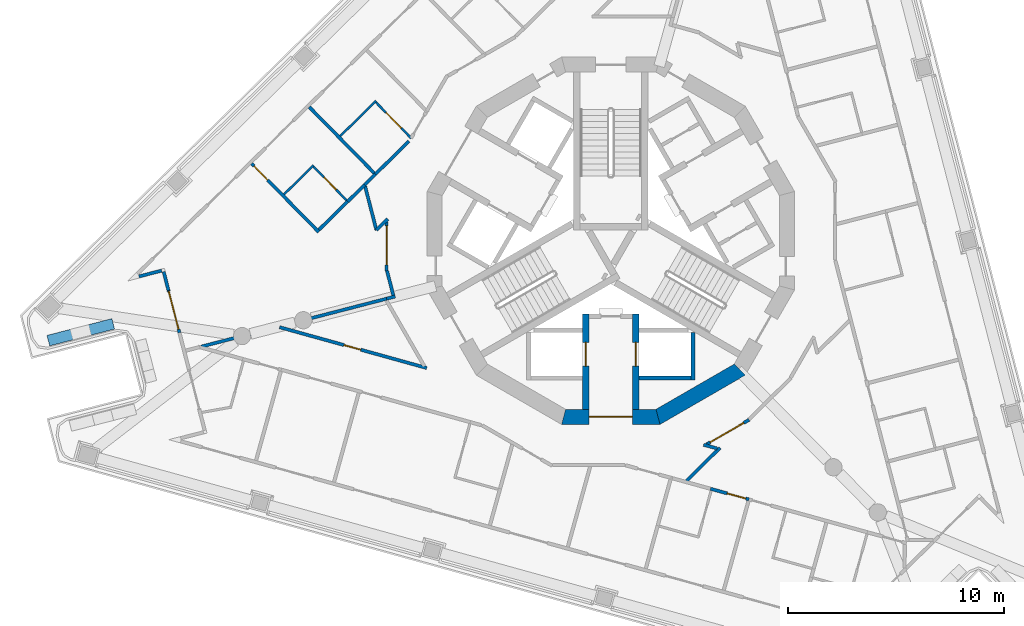
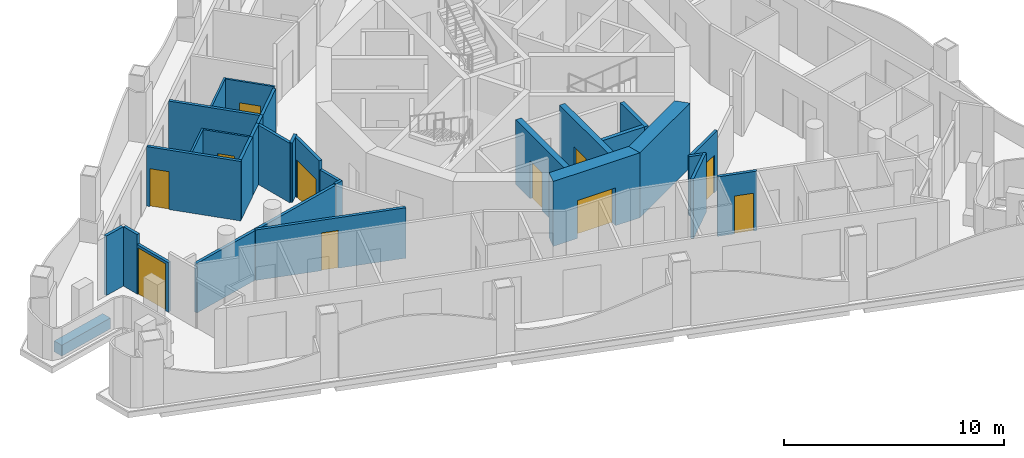
# One storey, part 3 of 14: 31 walls, 11 doors, 11 openings.
"""IFC4 building model written with IfcOpenShell, lengths in metres."""

from ifc_helpers import new_model, si_unit, direction, frame, frame_2d, origin, place, context, subcontext, project, spatial, polyline, rectangle, outline, extrude, material, layer, layer_set, type_object, element, fill, save


model = new_model("IFC4")

# Units and contexts
model_context = context("Model", 3, precision=1e-05, world=origin(), true_north=direction((0.0, 1.0)))
body_context = subcontext(model_context, "Body", "Model", "MODEL_VIEW")
ifc_project = project(units=[si_unit("LENGTHUNIT", "METRE"), si_unit("AREAUNIT", "SQUARE_METRE"), si_unit("VOLUMEUNIT", "CUBIC_METRE"), si_unit("PLANEANGLEUNIT", "RADIAN"), si_unit("MASSUNIT", "GRAM", prefix="KILO")], contexts=[model_context])

# Site, building, storey
site_placement = place(None, origin())
site = spatial("IfcSite", under=ifc_project, at=site_placement, CompositionType="ELEMENT")
building_placement = place(site_placement, origin())
building = spatial("IfcBuilding", under=site, at=building_placement, Name="Trine Commons Tower", CompositionType="ELEMENT")
storey_placement = place(building_placement, frame((0.0, 0.0, 249.300048828125)))
storey = spatial("IfcBuildingStorey", under=building, at=storey_placement, Name="L65", CompositionType="ELEMENT", Elevation=249.300048828125)

# Wall, opening, door
ifc_material_1 = material(Name="Aluminium-framed insulated wall panel", Category="aluminium")
ifc_layer_1 = layer(ifc_material_1, 0.14990234375)
ifc_layer_set_1 = layer_set([ifc_layer_1], Name="Aluminium-framed insulated wall panel")
wall_type_1 = type_object("IfcWallType", Name="Glazed frame wall 150, EI 60", PredefinedType="SOLIDWALL", material=ifc_layer_set_1)
wall_1_placement = place(storey_placement, frame((60.0390625, 58.2451171875, 0.0), z_axis=(0.0, 0.0, 1.0), x_axis=(-0.250341838346, 0.968157509899, 0.0)))
wall_1 = element("IfcWall", 1, at=wall_1_placement, inside=storey, type_object=wall_type_1, Name="Glazed frame wall P3.4", PredefinedType="SOLIDWALL", context=body_context, shape_type="SweptSolid", body=[
    extrude(outline(polyline([(0.0, -0.074951171875), (2.021484375, -0.074951171875), (2.021484375, 0.074951171875), (0.0, 0.074951171875), (0.0, -0.074951171875)])), origin(), (0.0, 0.0, 1.0), 2.75),
])
opening_1_placement = place(wall_1_placement, frame((0.17138671875, 0.0, 0.0)))
opening_1 = element("IfcOpeningElement", 2, at=opening_1_placement, cuts=wall_1, Name="Opening BD-7P3-02", PredefinedType="OPENING", context=body_context, shape_type="SweptSolid", body=[
    extrude(rectangle(XDim=1.800048828125, YDim=2.60009765625, at=frame_2d((0.89990234375, 1.300048828125))), frame((0.0, 0.0849609375, 0.0), z_axis=(0.0, -1.0, 0.0), x_axis=(1.0, 0.0, 0.0)), (0.0, 0.0, 1.0), 0.169921875),
])
ifc_material_2 = material(Name="Anodised aluminium frame with double glazing", Category="aluminium")
door_type_1 = type_object("IfcDoorType", Name="Sliding loggia door 1800x2600", OperationType="SLIDING_TO_LEFT", PredefinedType="DOOR", material=ifc_material_2)
door_1_placement = place(opening_1_placement, origin())
door_1 = element("IfcDoor", 3, at=door_1_placement, inside=storey, type_object=door_type_1, Name="Loggia door P3 2", OperationType="SLIDING_TO_LEFT", OverallHeight=2.60009765625, OverallWidth=1.800048828125, PredefinedType="DOOR", context=body_context, shape_type="SweptSolid", body=[
    extrude(rectangle(XDim=1.800048828125, YDim=2.60009765625, at=frame_2d((0.89990234375, 1.300048828125))), frame((0.0, 0.02490234375, 0.0), z_axis=(0.0, -1.0, 0.0), x_axis=(1.0, 0.0, 0.0)), (0.0, 0.0, 1.0), 0.050048828125),
])
fill(opening_1, door_1)

# Walls
wall_2_placement = place(storey_placement, frame((59.532958984375, 60.202392578125, 0.0), z_axis=(0.0, 0.0, 1.0), x_axis=(-0.250284169086, 0.968172419926, 0.0)))
element("IfcWall", 4, at=wall_2_placement, inside=storey, type_object=wall_type_1, Name="Glazed frame wall P3.5", PredefinedType="SOLIDWALL", context=body_context, shape_type="SweptSolid", body=[
    extrude(outline(polyline([(0.889892578125, 0.074951171875), (0.0, 0.074951171875), (0.0, -0.074951171875), (0.889892578125, -0.074951171875), (0.889892578125, 0.074951171875)])), origin(), (0.0, 0.0, 1.0), 3.300048828125),
])
wall_3_placement = place(storey_placement, frame((59.3251953125, 61.145263671875, 0.0), z_axis=(0.0, 0.0, 1.0), x_axis=(-0.968156774456, -0.250344682538, 0.0)))
element("IfcWall", 5, at=wall_3_placement, inside=storey, type_object=wall_type_1, Name="Glazed frame wall R12", PredefinedType="SOLIDWALL", context=body_context, shape_type="SweptSolid", body=[
    extrude(outline(polyline([(0.110107421875, 0.074951171875), (0.110107421875, -0.074951171875), (1.19580078125, -0.074951171875), (1.19580078125, 0.074951171875), (0.110107421875, 0.074951171875)])), origin(), (0.0, 0.0, 1.0), 3.300048828125),
])
ifc_material_3 = material(Name="Planter trough, precast concrete C40/50", Category="concrete")
ifc_layer_2 = layer(ifc_material_3, 0.5)
ifc_layer_set_2 = layer_set([ifc_layer_2], Name="Planter trough, precast concrete C40/50")
wall_type_2 = type_object("IfcWallType", Name="Planter trough 500x600", PredefinedType="PARAPET", material=ifc_layer_set_2)
wall_4_placement = place(storey_placement, frame((56.974609375, 58.65234375, 0.0), z_axis=(0.0, 0.0, 1.0), x_axis=(-0.968151190511, -0.250366276306, 0.0)))
element("IfcWall", 6, at=wall_4_placement, inside=storey, type_object=wall_type_2, Name="Planter 3", PredefinedType="PARAPET", context=body_context, shape_type="SweptSolid", body=[
    extrude(rectangle(XDim=3.099853515625, YDim=0.5, at=frame_2d((1.5498046875, 0.0))), origin(), (0.0, 0.0, 1.0), 0.599853515625),
])

# Wall, opening, door
ifc_material_4 = material(Name="Concrete C50/60", Category="concrete")
ifc_layer_3 = layer(ifc_material_4, 0.300048828125)
ifc_layer_set_3 = layer_set([ifc_layer_3], Name="Concrete C50/60")
wall_type_3 = type_object("IfcWallType", Name="RC shear wall 300 mm, C50/60", PredefinedType="SHEAR", material=ifc_layer_set_3)
wall_5_placement = place(storey_placement, frame((78.85009765625, 59.10009765625, 0.0), z_axis=(0.0, 0.0, 1.0), x_axis=(0.0, -1.0, 0.0)))
wall_5 = element("IfcWall", 7, at=wall_5_placement, inside=storey, type_object=wall_type_3, Name="Core cross wall SWC-03 L65", PredefinedType="SHEAR", context=body_context, shape_type="SweptSolid", body=[
    extrude(rectangle(XDim=4.400146484375, YDim=0.300048828125, at=frame_2d((2.2001953125, 0.0))), origin(), (0.0, 0.0, 1.0), 3.599853515625),
])
opening_2_placement = place(wall_5_placement, frame((1.300048828125, 0.0, 0.0)))
opening_2 = element("IfcOpeningElement", 8, at=opening_2_placement, cuts=wall_5, Name="Opening LD10", PredefinedType="OPENING", context=body_context, shape_type="SweptSolid", body=[
    extrude(rectangle(XDim=1.10009765625, YDim=2.10009765625, at=frame_2d((0.550048828125, 1.050048828125))), frame((0.0, 0.159912109375, 0.0), z_axis=(0.0, -1.0, 0.0), x_axis=(1.0, 0.0, 0.0)), (0.0, 0.0, 1.0), 0.320068359375),
])
ifc_material_5 = material(Name="Stainless steel sliding door leaves", Category="steel")
door_type_2 = type_object("IfcDoorType", Name="Lift landing door, centre-opening sliding 1100 x 2100, FD90", OperationType="DOUBLE_DOOR_SLIDING", PredefinedType="DOOR", material=ifc_material_5)
door_2_placement = place(opening_2_placement, origin())
door_2 = element("IfcDoor", 9, at=door_2_placement, inside=storey, type_object=door_type_2, Name="Lift landing door FF2 L65", OperationType="DOUBLE_DOOR_SLIDING", OverallHeight=2.10009765625, OverallWidth=1.10009765625, PredefinedType="DOOR", context=body_context, shape_type="SweptSolid", body=[
    extrude(rectangle(XDim=1.10009765625, YDim=2.10009765625, at=frame_2d((0.550048828125, 1.050048828125))), frame((0.0, 0.02490234375, 0.0), z_axis=(0.0, -1.0, 0.0), x_axis=(1.0, 0.0, 0.0)), (0.0, 0.0, 1.0), 0.050048828125),
])
fill(opening_2, door_2)

wall_6_placement = place(storey_placement, frame((81.14990234375, 59.10009765625, 0.0), z_axis=(0.0, 0.0, 1.0), x_axis=(0.0, -1.0, 0.0)))
wall_6 = element("IfcWall", 10, at=wall_6_placement, inside=storey, type_object=wall_type_3, Name="Core cross wall SWC-04 L65", PredefinedType="SHEAR", context=body_context, shape_type="SweptSolid", body=[
    extrude(rectangle(XDim=4.400146484375, YDim=0.300048828125, at=frame_2d((2.2001953125, 0.0))), origin(), (0.0, 0.0, 1.0), 3.599853515625),
])
opening_3_placement = place(wall_6_placement, frame((1.300048828125, 0.0, 0.0)))
opening_3 = element("IfcOpeningElement", 11, at=opening_3_placement, cuts=wall_6, Name="Opening LD9", PredefinedType="OPENING", context=body_context, shape_type="SweptSolid", body=[
    extrude(rectangle(XDim=1.10009765625, YDim=2.10009765625, at=frame_2d((0.550048828125, 1.050048828125))), frame((0.0, 0.159912109375, 0.0), z_axis=(0.0, -1.0, 0.0), x_axis=(1.0, 0.0, 0.0)), (0.0, 0.0, 1.0), 0.320068359375),
])
door_3_placement = place(opening_3_placement, origin())
door_3 = element("IfcDoor", 12, at=door_3_placement, inside=storey, type_object=door_type_2, Name="Lift landing door FF1 L65", OperationType="DOUBLE_DOOR_SLIDING", OverallHeight=2.10009765625, OverallWidth=1.10009765625, PredefinedType="DOOR", context=body_context, shape_type="SweptSolid", body=[
    extrude(rectangle(XDim=1.10009765625, YDim=2.10009765625, at=frame_2d((0.550048828125, 1.050048828125))), frame((0.0, 0.02490234375, 0.0), z_axis=(0.0, -1.0, 0.0), x_axis=(1.0, 0.0, 0.0)), (0.0, 0.0, 1.0), 0.050048828125),
])
fill(opening_3, door_3)

ifc_layer_4 = layer(ifc_material_4, 0.699951171875)
ifc_layer_set_4 = layer_set([ifc_layer_4], Name="Concrete C50/60")
wall_type_4 = type_object("IfcWallType", Name="RC shear wall 700 mm, C50/60", PredefinedType="SHEAR", material=ifc_layer_set_4)
wall_7_placement = place(storey_placement, frame((77.722412109375, 54.349853515625, 0.0), z_axis=(0.0, 0.0, 1.0), x_axis=(1.0, 0.0, 0.0)))
wall_7 = element("IfcWall", 13, at=wall_7_placement, inside=storey, type_object=wall_type_4, Name="Core wall CWG-10 L65", PredefinedType="SHEAR", context=body_context, shape_type="SweptSolid", body=[
    extrude(outline(polyline([(0.0, -0.35009765625), (4.55517578125, -0.35009765625), (4.36767578125, 0.35009765625), (0.1875, 0.35009765625), (0.0, -0.35009765625)])), origin(), (0.0, 0.0, 1.0), 3.599853515625),
])
opening_4_placement = place(wall_7_placement, frame((1.277587890625, 0.0, 0.0)))
opening_4 = element("IfcOpeningElement", 14, at=opening_4_placement, cuts=wall_7, Name="Opening K15.08", PredefinedType="OPENING", context=body_context, shape_type="SweptSolid", body=[
    extrude(rectangle(XDim=2.0, YDim=2.10009765625, at=frame_2d((1.0, 1.050048828125))), frame((0.0, 0.35986328125, 0.0), z_axis=(0.0, -1.0, 0.0), x_axis=(1.0, 0.0, 0.0)), (0.0, 0.0, 1.0), 0.719970703125),
])
ifc_material_6 = material(Name="Steel door leaves, fire-rated", Category="steel")
door_type_3 = type_object("IfcDoorType", Name="Lobby door, double leaf 2000 x 2100, FD60", OperationType="DOUBLE_DOOR_SINGLE_SWING", PredefinedType="DOOR", material=ifc_material_6)
door_4_placement = place(opening_4_placement, origin())
door_4 = element("IfcDoor", 15, at=door_4_placement, inside=storey, type_object=door_type_3, Name="Lobby door, Service and firefighting lobby L65", OperationType="DOUBLE_DOOR_SINGLE_SWING", OverallHeight=2.10009765625, OverallWidth=2.0, PredefinedType="DOOR", context=body_context, shape_type="SweptSolid", body=[
    extrude(rectangle(XDim=2.0, YDim=2.10009765625, at=frame_2d((1.0, 1.050048828125))), frame((0.0, 0.02490234375, 0.0), z_axis=(0.0, -1.0, 0.0), x_axis=(1.0, 0.0, 0.0)), (0.0, 0.0, 1.0), 0.050048828125),
])
fill(opening_4, door_4)

# Walls
wall_8_placement = place(storey_placement, frame((82.1025390625, 54.302978515625, 0.0), z_axis=(0.0, 0.0, 1.0), x_axis=(0.866034756103, 0.499983800959, 0.0)))
element("IfcWall", 16, at=wall_8_placement, inside=storey, type_object=wall_type_4, Name="Core wall CWG-11 L65", PredefinedType="SHEAR", context=body_context, shape_type="SweptSolid", body=[
    extrude(outline(polyline([(0.0, -0.35009765625), (4.55517578125, -0.35009765625), (4.36767578125, 0.35009765625), (0.1875, 0.35009765625), (0.0, -0.35009765625)])), origin(), (0.0, 0.0, 1.0), 3.599853515625),
])
ifc_material_7 = material(Name="Fire-rated gypsum shaft wall system")
ifc_layer_5 = layer(ifc_material_7, 0.199951171875)
ifc_layer_set_5 = layer_set([ifc_layer_5], Name="Fire-rated gypsum shaft wall system")
wall_type_5 = type_object("IfcWallType", Name="Shaft wall 200 mm, EI 120", PredefinedType="PARTITIONING", material=ifc_layer_set_5)
wall_9_placement = place(storey_placement, frame((81.300048828125, 56.14990234375, 0.0), z_axis=(0.0, 0.0, 1.0), x_axis=(1.0, 0.0, 0.0)))
element("IfcWall", 17, at=wall_9_placement, inside=storey, type_object=wall_type_5, Name="Shaft wall L65", PredefinedType="PARTITIONING", context=body_context, shape_type="SweptSolid", body=[
    extrude(rectangle(XDim=2.39990234375, YDim=0.199951171875, at=frame_2d((1.199951171875, 0.0))), origin(), (0.0, 0.0, 1.0), 3.300048828125),
])
wall_10_placement = place(storey_placement, frame((83.800048828125, 58.257080078125, 0.0), z_axis=(0.0, 0.0, 1.0), x_axis=(0.0, -1.0, 0.0)))
element("IfcWall", 18, at=wall_10_placement, inside=storey, type_object=wall_type_5, Name="Shaft wall L65", PredefinedType="PARTITIONING", context=body_context, shape_type="SweptSolid", body=[
    extrude(rectangle(XDim=2.20703125, YDim=0.199951171875, at=frame_2d((1.103515625, 0.0))), origin(), (0.0, 0.0, 1.0), 3.300048828125),
])
ifc_material_8 = material(Name="Gypsum plasterboard on steel stud", Category="steel")
ifc_layer_6 = layer(ifc_material_8, 0.14990234375)
ifc_layer_set_6 = layer_set([ifc_layer_6], Name="Gypsum plasterboard on steel stud")
wall_type_6 = type_object("IfcWallType", Name="Unit and corridor wall 150 mm, EI 60", PredefinedType="PARTITIONING", material=ifc_layer_set_6)
wall_11_placement = place(storey_placement, frame((61.043701171875, 57.597900390625, 0.0), z_axis=(0.0, 0.0, 1.0), x_axis=(0.968149558091, 0.25037258869, 0.0)))
element("IfcWall", 19, at=wall_11_placement, inside=storey, type_object=wall_type_6, Name="Partition 003", PredefinedType="PARTITIONING", context=body_context, shape_type="SweptSolid", body=[
    extrude(rectangle(XDim=8.86767578125, YDim=0.14990234375, at=frame_2d((4.433837890625, 0.0))), origin(), (0.0, 0.0, 1.0), 2.75),
])

# Wall, opening, door
wall_12_placement = place(storey_placement, frame((63.382080078125, 66.060546875, 0.0), z_axis=(0.0, 0.0, 1.0), x_axis=(0.700914144597, -0.713245653267, 0.0)))
wall_12 = element("IfcWall", 20, at=wall_12_placement, inside=storey, type_object=wall_type_6, Name="Partition 007", PredefinedType="PARTITIONING", context=body_context, shape_type="SweptSolid", body=[
    extrude(rectangle(XDim=4.434814453125, YDim=0.14990234375, at=frame_2d((2.21728515625, 0.0))), origin(), (0.0, 0.0, 1.0), 3.300048828125),
])
opening_5_placement = place(wall_12_placement, frame((0.14990234375, 0.0, 0.0)))
opening_5 = element("IfcOpeningElement", 21, at=opening_5_placement, cuts=wall_12, Name="Opening D-7B04", PredefinedType="OPENING", context=body_context, shape_type="SweptSolid", body=[
    extrude(rectangle(XDim=0.89990234375, YDim=2.10009765625, at=frame_2d((0.449951171875, 1.050048828125))), frame((0.0, 0.0849609375, 0.0), z_axis=(0.0, -1.0, 0.0), x_axis=(1.0, 0.0, 0.0)), (0.0, 0.0, 1.0), 0.169921875),
])
ifc_material_9 = material(Name="Timber fire door set", Category="wood")
door_type_4 = type_object("IfcDoorType", Name="Bedroom door 900 x 2100, FD30S", OperationType="NOTDEFINED", PredefinedType="DOOR", material=ifc_material_9)
door_5_placement = place(opening_5_placement, origin())
door_5 = element("IfcDoor", 22, at=door_5_placement, inside=storey, type_object=door_type_4, Name="Door D-7B04", OperationType="SINGLE_SWING_LEFT", OverallHeight=2.10009765625, OverallWidth=0.89990234375, PredefinedType="DOOR", context=body_context, shape_type="SweptSolid", body=[
    extrude(rectangle(XDim=0.89990234375, YDim=2.10009765625, at=frame_2d((0.449951171875, 1.050048828125))), frame((0.0, 0.02490234375, 0.0), z_axis=(0.0, -1.0, 0.0), x_axis=(1.0, 0.0, 0.0)), (0.0, 0.0, 1.0), 0.050048828125),
])
fill(opening_5, door_5)

wall_13_placement = place(storey_placement, frame((64.67333984375, 58.498046875, 0.0), z_axis=(0.0, 0.0, 1.0), x_axis=(0.963632187737, -0.267232121491, 0.0)))
wall_13 = element("IfcWall", 23, at=wall_13_placement, inside=storey, type_object=wall_type_6, Name="Partition 009", PredefinedType="PARTITIONING", context=body_context, shape_type="SweptSolid", body=[
    extrude(rectangle(XDim=7.064697265625, YDim=0.14990234375, at=frame_2d((3.5322265625, 0.0))), origin(), (0.0, 0.0, 1.0), 2.800048828125),
])
opening_6_placement = place(wall_13_placement, frame((3.094970703125, 0.0, 0.0)))
opening_6 = element("IfcOpeningElement", 24, at=opening_6_placement, cuts=wall_13, Name="Opening D-7B24", PredefinedType="OPENING", context=body_context, shape_type="SweptSolid", body=[
    extrude(rectangle(XDim=0.800048828125, YDim=2.10009765625, at=frame_2d((0.39990234375, 1.050048828125))), frame((0.0, 0.0849609375, 0.0), z_axis=(0.0, -1.0, 0.0), x_axis=(1.0, 0.0, 0.0)), (0.0, 0.0, 1.0), 0.169921875),
])
ifc_material_10 = material(Name="Painted timber", Category="wood")
door_type_5 = type_object("IfcDoorType", Name="Toilet door 800 x 2100, NOT RATED", OperationType="NOTDEFINED", PredefinedType="DOOR", material=ifc_material_10)
door_6_placement = place(opening_6_placement, origin())
door_6 = element("IfcDoor", 25, at=door_6_placement, inside=storey, type_object=door_type_5, Name="Door D-7B24", OperationType="SINGLE_SWING_LEFT", OverallHeight=2.10009765625, OverallWidth=0.800048828125, PredefinedType="DOOR", context=body_context, shape_type="SweptSolid", body=[
    extrude(rectangle(XDim=0.800048828125, YDim=2.10009765625, at=frame_2d((0.39990234375, 1.050048828125))), frame((0.0, 0.02490234375, 0.0), z_axis=(0.0, -1.0, 0.0), x_axis=(1.0, 0.0, 0.0)), (0.0, 0.0, 1.0), 0.050048828125),
])
fill(opening_6, door_6)

# Walls
wall_14_placement = place(storey_placement, frame((66.051025390625, 68.6845703125, 0.0), z_axis=(0.0, 0.0, 1.0), x_axis=(0.700808262034, -0.713349689748, 0.0)))
element("IfcWall", 26, at=wall_14_placement, inside=storey, type_object=wall_type_6, Name="Partition 012", PredefinedType="PARTITIONING", context=body_context, shape_type="SweptSolid", body=[
    extrude(rectangle(XDim=4.360595703125, YDim=0.14990234375, at=frame_2d((2.18017578125, 0.0))), origin(), (0.0, 0.0, 1.0), 3.300048828125),
])
wall_15_placement = place(storey_placement, frame((66.491455078125, 63.003662109375, 0.0), z_axis=(0.0, 0.0, 1.0), x_axis=(0.713284232258, 0.700874884706, 0.0)))
element("IfcWall", 27, at=wall_15_placement, inside=storey, type_object=wall_type_6, Name="Partition 014", PredefinedType="PARTITIONING", context=body_context, shape_type="SweptSolid", body=[
    extrude(rectangle(XDim=1.927978515625, YDim=0.14990234375, at=frame_2d((0.9638671875, 0.0))), origin(), (0.0, 0.0, 1.0), 3.300048828125),
])
wall_16_placement = place(storey_placement, frame((67.825927734375, 64.31494140625, 0.0), z_axis=(0.0, 0.0, 1.0), x_axis=(0.71293534272, 0.701229774825, 0.0)))
element("IfcWall", 28, at=wall_16_placement, inside=storey, type_object=wall_type_6, Name="Partition 017", PredefinedType="PARTITIONING", context=body_context, shape_type="SweptSolid", body=[
    extrude(rectangle(XDim=1.10546875, YDim=0.14990234375, at=frame_2d((0.552734375, 0.0))), origin(), (0.0, 0.0, 1.0), 3.300048828125),
])
wall_17_placement = place(storey_placement, frame((68.630859375, 65.016357421875, 0.0), z_axis=(0.0, 0.0, 1.0), x_axis=(0.250220542644, -0.968188865893, 0.0)))
element("IfcWall", 29, at=wall_17_placement, inside=storey, type_object=wall_type_6, Name="Partition 018", PredefinedType="PARTITIONING", context=body_context, shape_type="SweptSolid", body=[
    extrude(rectangle(XDim=2.0908203125, YDim=0.14990234375, at=frame_2d((1.04541015625, 0.0))), origin(), (0.0, 0.0, 1.0), 3.300048828125),
])
wall_18_placement = place(storey_placement, frame((68.612060546875, 65.091064453125, 0.0), z_axis=(0.0, 0.0, 1.0), x_axis=(0.712699057128, 0.701469923781, 0.0)))
element("IfcWall", 30, at=wall_18_placement, inside=storey, type_object=wall_type_6, Name="Partition 019", PredefinedType="PARTITIONING", context=body_context, shape_type="SweptSolid", body=[
    extrude(rectangle(XDim=0.69580078125, YDim=0.14990234375, at=frame_2d((0.347900390625, 0.0))), origin(), (0.0, 0.0, 1.0), 3.300048828125),
])
wall_19_placement = place(storey_placement, frame((69.10205078125, 65.572998046875, 0.0), z_axis=(0.0, 0.0, 1.0), x_axis=(0.713007842216, 0.701156057478, 0.0)))
element("IfcWall", 31, at=wall_19_placement, inside=storey, type_object=wall_type_6, Name="Partition 022", PredefinedType="PARTITIONING", context=body_context, shape_type="SweptSolid", body=[
    extrude(rectangle(XDim=2.18359375, YDim=0.14990234375, at=frame_2d((1.091796875, 0.0))), origin(), (0.0, 0.0, 1.0), 3.300048828125),
])
wall_20_placement = place(storey_placement, frame((69.157958984375, 62.991943359375, 0.0), z_axis=(0.0, 0.0, 1.0), x_axis=(0.712433157826, 0.701739977221, 0.0)))
element("IfcWall", 32, at=wall_20_placement, inside=storey, type_object=wall_type_6, Name="Partition 023", PredefinedType="PARTITIONING", context=body_context, shape_type="SweptSolid", body=[
    extrude(rectangle(XDim=0.730712890625, YDim=0.14990234375, at=frame_2d((0.365234375, 0.0))), origin(), (0.0, 0.0, 1.0), 3.300048828125),
])
wall_21_placement = place(storey_placement, frame((69.625, 59.81689453125, 0.0), z_axis=(0.0, 0.0, 1.0), x_axis=(0.968355193071, 0.249576080688, 0.0)))
element("IfcWall", 33, at=wall_21_placement, inside=storey, type_object=wall_type_6, Name="Partition 025", PredefinedType="PARTITIONING", context=body_context, shape_type="SweptSolid", body=[
    extrude(rectangle(XDim=0.415771484375, YDim=0.14990234375, at=frame_2d((0.2080078125, 0.0))), origin(), (0.0, 0.0, 1.0), 2.800048828125),
])

# Wall, opening, door
wall_22_placement = place(storey_placement, frame((69.625, 61.10498046875, 0.0), z_axis=(0.0, 0.0, 1.0), x_axis=(0.0, 1.0, 0.0)))
wall_22 = element("IfcWall", 34, at=wall_22_placement, inside=storey, type_object=wall_type_6, Name="Partition 026", PredefinedType="PARTITIONING", context=body_context, shape_type="SweptSolid", body=[
    extrude(rectangle(XDim=2.27197265625, YDim=0.14990234375, at=frame_2d((1.135986328125, 0.0))), origin(), (0.0, 0.0, 1.0), 3.300048828125),
])
opening_7_placement = place(wall_22_placement, frame((0.28271484375, 0.0, 0.0)))
opening_7 = element("IfcOpeningElement", 35, at=opening_7_placement, cuts=wall_22, Name="Opening D-7B03", PredefinedType="OPENING", context=body_context, shape_type="SweptSolid", body=[
    extrude(rectangle(XDim=1.800048828125, YDim=2.10009765625, at=frame_2d((0.89990234375, 1.050048828125))), frame((0.0, 0.0849609375, 0.0), z_axis=(0.0, -1.0, 0.0), x_axis=(1.0, 0.0, 0.0)), (0.0, 0.0, 1.0), 0.169921875),
])
door_type_6 = type_object("IfcDoorType", Name="Cluster entrance door 1800 x 2100, double leaf, FD30S", OperationType="DOUBLE_DOOR_DOUBLE_SWING", PredefinedType="DOOR", material=ifc_material_9)
door_7_placement = place(opening_7_placement, origin())
door_7 = element("IfcDoor", 36, at=door_7_placement, inside=storey, type_object=door_type_6, Name="Door D-7B03", OperationType="DOUBLE_DOOR_DOUBLE_SWING", OverallHeight=2.10009765625, OverallWidth=1.800048828125, PredefinedType="DOOR", context=body_context, shape_type="SweptSolid", body=[
    extrude(rectangle(XDim=1.800048828125, YDim=2.10009765625, at=frame_2d((0.89990234375, 1.050048828125))), frame((0.0, 0.02490234375, 0.0), z_axis=(0.0, -1.0, 0.0), x_axis=(1.0, 0.0, 0.0)), (0.0, 0.0, 1.0), 0.050048828125),
])
fill(opening_7, door_7)

# Walls
wall_23_placement = place(storey_placement, frame((69.643798828125, 61.107421875, 0.0), z_axis=(0.0, 0.0, 1.0), x_axis=(0.249991617467, -0.968248000874, 0.0)))
element("IfcWall", 37, at=wall_23_placement, inside=storey, type_object=wall_type_6, Name="Partition 027", PredefinedType="PARTITIONING", context=body_context, shape_type="SweptSolid", body=[
    extrude(rectangle(XDim=1.169921875, YDim=0.14990234375, at=frame_2d((0.5849609375, 0.0))), origin(), (0.0, 0.0, 1.0), 2.800048828125),
])
wall_24_placement = place(storey_placement, frame((83.506591796875, 51.3955078125, 0.0), z_axis=(0.0, 0.0, 1.0), x_axis=(0.712824796749, 0.701342148412, 0.0)))
element("IfcWall", 38, at=wall_24_placement, inside=storey, type_object=wall_type_6, Name="Partition 059", PredefinedType="PARTITIONING", context=body_context, shape_type="SweptSolid", body=[
    extrude(rectangle(XDim=2.168701171875, YDim=0.14990234375, at=frame_2d((1.08447265625, 0.0))), origin(), (0.0, 0.0, 1.0), 3.300048828125),
])
wall_25_placement = place(storey_placement, frame((84.290771484375, 53.058837890625, 0.0), z_axis=(0.0, 0.0, 1.0), x_axis=(0.964146228047, -0.265371533785, 0.0)))
element("IfcWall", 39, at=wall_25_placement, inside=storey, type_object=wall_type_6, Name="Partition 063", PredefinedType="PARTITIONING", context=body_context, shape_type="SweptSolid", body=[
    extrude(rectangle(XDim=0.65966796875, YDim=0.14990234375, at=frame_2d((0.329833984375, 0.0))), origin(), (0.0, 0.0, 1.0), 3.300048828125),
])

# Wall, opening, door
wall_26_placement = place(storey_placement, frame((84.427978515625, 53.076416015625, 0.0), z_axis=(0.0, 0.0, 1.0), x_axis=(0.866072877359, 0.499917764341, 0.0)))
wall_26 = element("IfcWall", 40, at=wall_26_placement, inside=storey, type_object=wall_type_6, Name="Partition 064", PredefinedType="PARTITIONING", context=body_context, shape_type="SweptSolid", body=[
    extrude(rectangle(XDim=2.2724609375, YDim=0.14990234375, at=frame_2d((1.13623046875, 0.0))), origin(), (0.0, 0.0, 1.0), 3.300048828125),
])
opening_8_placement = place(wall_26_placement, frame((0.188720703125, 0.0, 0.0)))
opening_8 = element("IfcOpeningElement", 41, at=opening_8_placement, cuts=wall_26, Name="Opening D-7B02", PredefinedType="OPENING", context=body_context, shape_type="SweptSolid", body=[
    extrude(rectangle(XDim=1.800048828125, YDim=2.10009765625, at=frame_2d((0.89990234375, 1.050048828125))), frame((0.0, 0.0849609375, 0.0), z_axis=(0.0, -1.0, 0.0), x_axis=(1.0, 0.0, 0.0)), (0.0, 0.0, 1.0), 0.169921875),
])
door_8_placement = place(opening_8_placement, frame((1.800048828125, 0.0, 0.0), z_axis=(0.0, 0.0, 1.0), x_axis=(-1.0, 0.0, 0.0)))
door_8 = element("IfcDoor", 42, at=door_8_placement, inside=storey, type_object=door_type_6, Name="Door D-7B02", OperationType="DOUBLE_DOOR_DOUBLE_SWING", OverallHeight=2.10009765625, OverallWidth=1.800048828125, PredefinedType="DOOR", context=body_context, shape_type="SweptSolid", body=[
    extrude(rectangle(XDim=1.800048828125, YDim=2.10009765625, at=frame_2d((0.89990234375, 1.050048828125))), frame((0.0, 0.02490234375, 0.0), z_axis=(0.0, -1.0, 0.0), x_axis=(1.0, 0.0, 0.0)), (0.0, 0.0, 1.0), 0.050048828125),
])
fill(opening_8, door_8)

wall_27_placement = place(storey_placement, frame((84.61083984375, 51.0224609375, 0.0), z_axis=(0.0, 0.0, 1.0), x_axis=(0.963673001046, -0.267084906077, 0.0)))
wall_27 = element("IfcWall", 43, at=wall_27_placement, inside=storey, type_object=wall_type_6, Name="Partition 065", PredefinedType="PARTITIONING", context=body_context, shape_type="SweptSolid", body=[
    extrude(rectangle(XDim=1.847412109375, YDim=0.14990234375, at=frame_2d((0.923828125, 0.0))), origin(), (0.0, 0.0, 1.0), 3.300048828125),
])
opening_9_placement = place(wall_27_placement, frame((0.79736328125, 0.0, 0.0)))
opening_9 = element("IfcOpeningElement", 44, at=opening_9_placement, cuts=wall_27, Name="Opening D-7B18", PredefinedType="OPENING", context=body_context, shape_type="SweptSolid", body=[
    extrude(rectangle(XDim=0.89990234375, YDim=2.10009765625, at=frame_2d((0.449951171875, 1.050048828125))), frame((0.0, 0.0849609375, 0.0), z_axis=(0.0, -1.0, 0.0), x_axis=(1.0, 0.0, 0.0)), (0.0, 0.0, 1.0), 0.169921875),
])
door_9_placement = place(opening_9_placement, frame((0.89990234375, 0.0, 0.0), z_axis=(0.0, 0.0, 1.0), x_axis=(-1.0, 0.0, 0.0)))
door_9 = element("IfcDoor", 45, at=door_9_placement, inside=storey, type_object=door_type_4, Name="Door D-7B18", OperationType="SINGLE_SWING_LEFT", OverallHeight=2.10009765625, OverallWidth=0.89990234375, PredefinedType="DOOR", context=body_context, shape_type="SweptSolid", body=[
    extrude(rectangle(XDim=0.89990234375, YDim=2.10009765625, at=frame_2d((0.449951171875, 1.050048828125))), frame((0.0, 0.02490234375, 0.0), z_axis=(0.0, -1.0, 0.0), x_axis=(1.0, 0.0, 0.0)), (0.0, 0.0, 1.0), 0.050048828125),
])
fill(opening_9, door_9)

# Wall
ifc_layer_7 = layer(ifc_material_8, 0.10009765625)
ifc_layer_set_7 = layer_set([ifc_layer_7], Name="Gypsum plasterboard on steel stud")
wall_type_7 = type_object("IfcWallType", Name="Unit partition 100 mm, no rating", PredefinedType="PARTITIONING", material=ifc_layer_set_7)
wall_28_placement = place(storey_placement, frame((64.87841796875, 64.6435546875, 0.0), z_axis=(0.0, 0.0, 1.0), x_axis=(0.713293055377, 0.700865905257, 0.0)))
element("IfcWall", 46, at=wall_28_placement, inside=storey, type_object=wall_type_7, Name="Partition 011", PredefinedType="PARTITIONING", context=body_context, shape_type="SweptSolid", body=[
    extrude(rectangle(XDim=1.92529296875, YDim=0.10009765625, at=frame_2d((0.962646484375, 0.0))), origin(), (0.0, 0.0, 1.0), 3.300048828125),
])

# Wall, opening, door
wall_29_placement = place(storey_placement, frame((66.2509765625, 65.92236328125, 0.0), z_axis=(0.0, 0.0, 1.0), x_axis=(0.701018173636, -0.713143407901, 0.0)))
wall_29 = element("IfcWall", 47, at=wall_29_placement, inside=storey, type_object=wall_type_7, Name="Partition 013", PredefinedType="PARTITIONING", context=body_context, shape_type="SweptSolid", body=[
    extrude(rectangle(XDim=2.174560546875, YDim=0.10009765625, at=frame_2d((1.08740234375, 0.0))), origin(), (0.0, 0.0, 1.0), 3.300048828125),
])
opening_10_placement = place(wall_29_placement, frame((0.687255859375, 0.0, 0.0)))
opening_10 = element("IfcOpeningElement", 48, at=opening_10_placement, cuts=wall_29, Name="Opening D-7B26", PredefinedType="OPENING", context=body_context, shape_type="SweptSolid", body=[
    extrude(rectangle(XDim=0.800048828125, YDim=2.10009765625, at=frame_2d((0.39990234375, 1.050048828125))), frame((0.0, 0.06005859375, 0.0), z_axis=(0.0, -1.0, 0.0), x_axis=(1.0, 0.0, 0.0)), (0.0, 0.0, 1.0), 0.1201171875),
])
door_type_7 = type_object("IfcDoorType", Name="Internal door 800 x 2100, NOT RATED", OperationType="NOTDEFINED", PredefinedType="DOOR", material=ifc_material_10)
door_10_placement = place(opening_10_placement, origin())
door_10 = element("IfcDoor", 49, at=door_10_placement, inside=storey, type_object=door_type_7, Name="Door D-7B26", OperationType="SINGLE_SWING_LEFT", OverallHeight=2.10009765625, OverallWidth=0.800048828125, PredefinedType="DOOR", context=body_context, shape_type="SweptSolid", body=[
    extrude(rectangle(XDim=0.800048828125, YDim=2.10009765625, at=frame_2d((0.39990234375, 1.050048828125))), frame((0.0, 0.02490234375, 0.0), z_axis=(0.0, -1.0, 0.0), x_axis=(1.0, 0.0, 0.0)), (0.0, 0.0, 1.0), 0.050048828125),
])
fill(opening_10, door_10)

# Wall
wall_30_placement = place(storey_placement, frame((67.478515625, 67.338623046875, 0.0), z_axis=(0.0, 0.0, 1.0), x_axis=(0.713275639023, 0.700883629982, 0.0)))
element("IfcWall", 50, at=wall_30_placement, inside=storey, type_object=wall_type_7, Name="Partition 016", PredefinedType="PARTITIONING", context=body_context, shape_type="SweptSolid", body=[
    extrude(rectangle(XDim=2.32470703125, YDim=0.10009765625, at=frame_2d((1.162353515625, 0.0))), origin(), (0.0, 0.0, 1.0), 3.300048828125),
])

# Wall, opening, door
wall_31_placement = place(storey_placement, frame((69.135986328125, 68.8974609375, 0.0), z_axis=(0.0, 0.0, 1.0), x_axis=(0.701179250169, -0.712985034297, 0.0)))
wall_31 = element("IfcWall", 51, at=wall_31_placement, inside=storey, type_object=wall_type_7, Name="Partition 021", PredefinedType="PARTITIONING", context=body_context, shape_type="SweptSolid", body=[
    extrude(rectangle(XDim=2.316162109375, YDim=0.10009765625, at=frame_2d((1.158203125, 0.0))), origin(), (0.0, 0.0, 1.0), 3.300048828125),
])
opening_11_placement = place(wall_31_placement, frame((0.657958984375, 0.0, 0.0)))
opening_11 = element("IfcOpeningElement", 52, at=opening_11_placement, cuts=wall_31, Name="Opening D-7B27", PredefinedType="OPENING", context=body_context, shape_type="SweptSolid", body=[
    extrude(rectangle(XDim=1.0, YDim=2.10009765625, at=frame_2d((0.5, 1.050048828125))), frame((0.0, 0.06005859375, 0.0), z_axis=(0.0, -1.0, 0.0), x_axis=(1.0, 0.0, 0.0)), (0.0, 0.0, 1.0), 0.1201171875),
])
door_type_8 = type_object("IfcDoorType", Name="Internal door 1000 x 2100, NOT RATED", OperationType="NOTDEFINED", PredefinedType="DOOR", material=ifc_material_10)
door_11_placement = place(opening_11_placement, origin())
door_11 = element("IfcDoor", 53, at=door_11_placement, inside=storey, type_object=door_type_8, Name="Door D-7B27", OperationType="SINGLE_SWING_LEFT", OverallHeight=2.10009765625, OverallWidth=1.0, PredefinedType="DOOR", context=body_context, shape_type="SweptSolid", body=[
    extrude(rectangle(XDim=1.0, YDim=2.10009765625, at=frame_2d((0.5, 1.050048828125))), frame((0.0, 0.02490234375, 0.0), z_axis=(0.0, -1.0, 0.0), x_axis=(1.0, 0.0, 0.0)), (0.0, 0.0, 1.0), 0.050048828125),
])
fill(opening_11, door_11)

save(model, "model.ifc")
